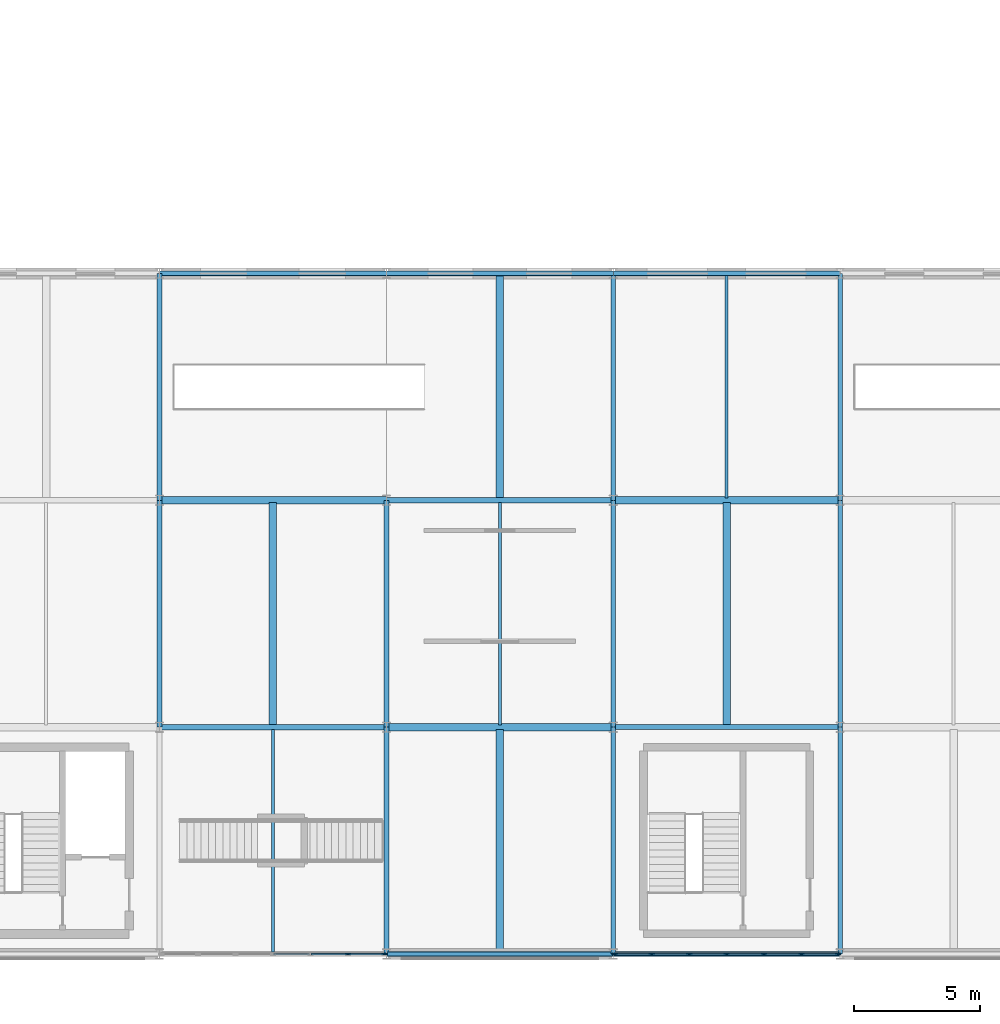
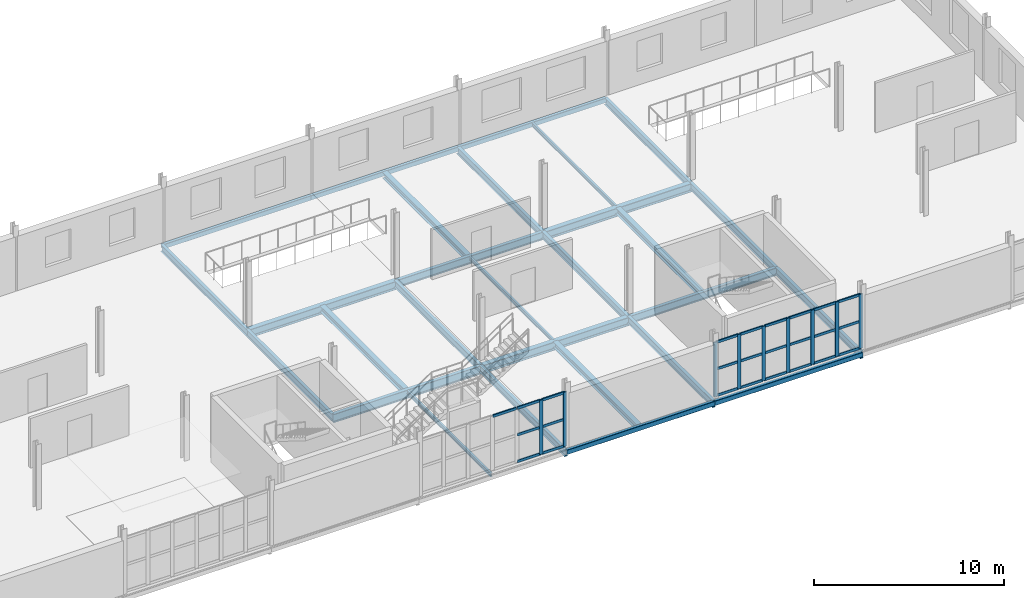
# One storey, part 36 of 161: 34 members, 28 beams, 2 elements without a shape of their own.
"""IFC4 building model written with IfcOpenShell, lengths in metres."""

from ifc_helpers import new_model, si_unit, direction, frame, origin, origin_2d, place, context, subcontext, project, spatial, rectangle, hollow_rectangle, i_section, extrude, material, material_profile, profile_set, type_object, element, aggregate, save


model = new_model("IFC4")

# Units and contexts
model_context = context("Model", 3, precision=1e-05, world=origin(), true_north=direction((0.0, 1.0)))
body_context = subcontext(model_context, "Body", "Model", "MODEL_VIEW")
ifc_project = project(units=[si_unit("LENGTHUNIT", "METRE"), si_unit("AREAUNIT", "SQUARE_METRE"), si_unit("VOLUMEUNIT", "CUBIC_METRE"), si_unit("PLANEANGLEUNIT", "RADIAN"), si_unit("MASSUNIT", "GRAM", prefix="KILO")], contexts=[model_context])

# Site, building, storey
site_placement = place(None, origin())
site = spatial("IfcSite", under=ifc_project, at=site_placement, CompositionType="ELEMENT")
building_placement = place(site_placement, origin())
building = spatial("IfcBuilding", under=site, at=building_placement, Name="Kildeholm Park Wholesale Market", CompositionType="ELEMENT")
storey_placement = place(building_placement, frame((0.0, 0.0, 5.39990234375)))
storey = spatial("IfcBuildingStorey", under=building, at=storey_placement, Name="L01", CompositionType="ELEMENT", Elevation=5.39990234375)

# Beams
ifc_material_1 = material(Name="Steel S355", Category="steel")
ifc_material_profile_1 = material_profile(ifc_material_1, i_section(OverallWidth=0.18994140625, OverallDepth=0.449951171875, WebThickness=0.009521484375, FlangeThickness=0.0146484375, FilletRadius=0.02099609375, at=origin_2d()), Name="IPE 450")
ifc_profile_set_1 = profile_set([ifc_material_profile_1], Name="Steel S355")
beam_type_1 = type_object("IfcBeamType", Name="Beam B-P02 IPE 450", PredefinedType="BEAM", material=ifc_profile_set_1)
for number, where, z_axis, x_axis, name in (
    (1, (36.0, 9.0, -0.46484375), (0.0, 1.0, 0.0), (-1.0, 0.0, 0.0), "Beam BM-V5W-L01-Y-036-009 BM-1300"),
    (2, (36.0, 18.0, -0.46484375), (0.0, 1.0, 0.0), (-1.0, 0.0, 0.0), "Beam BM-V5W-L01-Y-036-018 BM-1303"),
    (3, (45.0, 0.0, -0.46484375), (0.0, 1.0, 0.0), (-1.0, 0.0, 0.0), "Beam BM-V5W-L01-Y-045-000 BM-1306"),
    (4, (45.0, 9.0, -0.46484375), (0.0, 1.0, 0.0), (-1.0, 0.0, 0.0), "Beam BM-V5W-L01-Y-045-009 BM-1309"),
    (5, (54.0, 0.0, -0.46484375), (0.0, 1.0, 0.0), (-1.0, 0.0, 0.0), "Beam BM-V5W-L01-Y-054-000 BM-1315"),
    (6, (54.0, 9.0, -0.46484375), (0.0, 1.0, 0.0), (-1.0, 0.0, 0.0), "Beam BM-V5W-L01-Y-054-009 BM-1317"),
    (7, (54.0, 18.0, -0.46484375), (0.0, 1.0, 0.0), (-1.0, 0.0, 0.0), "Beam BM-V5W-L01-Y-054-018 BM-1320"),
    (8, (63.0, 0.0, -0.46484375), (0.0, 1.0, 0.0), (-1.0, 0.0, 0.0), "Beam BM-V5W-L01-Y-063-000 BM-1324"),
    (9, (63.0, 9.0, -0.46484375), (0.0, 1.0, 0.0), (-1.0, 0.0, 0.0), "Beam BM-V5W-L01-Y-063-009 BM-1327"),
    (10, (63.0, 18.0, -0.46484375), (0.0, 1.0, 0.0), (-1.0, 0.0, 0.0), "Beam BM-V5W-L01-Y-063-018 BM-1330"),
):
    element("IfcBeam", number, at=place(storey_placement, frame(where, z_axis=z_axis, x_axis=x_axis)), inside=storey, type_object=beam_type_1, Name=name, PredefinedType="BEAM", context=body_context, shape_type="SweptSolid", body=[
        extrude(i_section(OverallWidth=0.18994140625, OverallDepth=0.449951171875, WebThickness=0.009521484375, FlangeThickness=0.0146484375, FilletRadius=0.02099609375, at=origin_2d()), origin(), (0.0, 0.0, 1.0), 9.0),
    ])
ifc_material_profile_2 = material_profile(ifc_material_1, i_section(OverallWidth=0.199951171875, OverallDepth=0.5, WebThickness=0.01025390625, FlangeThickness=0.01611328125, FilletRadius=0.02099609375, at=origin_2d()), Name="IPE 500")
ifc_profile_set_2 = profile_set([ifc_material_profile_2], Name="Steel S355")
beam_type_2 = type_object("IfcBeamType", Name="Beam B-P03 IPE 500", PredefinedType="BEAM", material=ifc_profile_set_2)
for number, where, z_axis, x_axis, name in (
    (11, (45.0, 18.0, -0.489990234375), (1.0, 0.0, 0.0), (0.0, 1.0, 0.0), "Beam BM-V5W-L01-X-045-018 BM-1311"),
    (12, (54.0, 9.0, -0.489990234375), (1.0, 0.0, 0.0), (0.0, 1.0, 0.0), "Beam BM-V5W-L01-X-054-009 BM-1316"),
):
    element("IfcBeam", number, at=place(storey_placement, frame(where, z_axis=z_axis, x_axis=x_axis)), inside=storey, type_object=beam_type_2, Name=name, PredefinedType="BEAM", context=body_context, shape_type="SweptSolid", body=[
        extrude(i_section(OverallWidth=0.199951171875, OverallDepth=0.5, WebThickness=0.01025390625, FlangeThickness=0.01611328125, FilletRadius=0.02099609375, at=origin_2d()), origin(), (0.0, 0.0, 1.0), 9.0),
    ])
ifc_material_profile_3 = material_profile(ifc_material_1, i_section(OverallWidth=0.2099609375, OverallDepth=0.550048828125, WebThickness=0.010986328125, FlangeThickness=0.01708984375, FilletRadius=0.02392578125, at=origin_2d()), Name="IPE 550")
ifc_profile_set_3 = profile_set([ifc_material_profile_3], Name="Steel S355")
beam_type_3 = type_object("IfcBeamType", Name="Beam B-X01 IPE 550", PredefinedType="BEAM", material=ifc_profile_set_3)
beam_1_placement = place(storey_placement, frame((36.0, 9.0, -0.514892578125), z_axis=(1.0, 0.0, 0.0), x_axis=(0.0, 1.0, 0.0)))
element("IfcBeam", 13, at=beam_1_placement, inside=storey, type_object=beam_type_3, Name="Beam BM-V5W-L01-X-036-009 BM-1299", PredefinedType="BEAM", context=body_context, shape_type="SweptSolid", body=[
    extrude(i_section(OverallWidth=0.2099609375, OverallDepth=0.550048828125, WebThickness=0.010986328125, FlangeThickness=0.01708984375, FilletRadius=0.02392578125, at=origin_2d()), origin(), (0.0, 0.0, 1.0), 9.0),
])
ifc_material_profile_4 = material_profile(ifc_material_1, i_section(OverallWidth=0.300048828125, OverallDepth=0.5400390625, WebThickness=0.012451171875, FlangeThickness=0.02392578125, FilletRadius=0.027099609375, at=origin_2d()), Name="HEA 550")
ifc_profile_set_4 = profile_set([ifc_material_profile_4], Name="Steel S355")
beam_type_4 = type_object("IfcBeamType", Name="Beam B-X02 HEA 550", PredefinedType="BEAM", material=ifc_profile_set_4)
for number, where, z_axis, x_axis, name in (
    (14, (36.0, 18.0, -0.510009765625), (1.0, 0.0, 0.0), (0.0, 1.0, 0.0), "Beam BM-V5W-L01-X-036-018 BM-1302"),
    (15, (45.0, 9.0, -0.510009765625), (1.0, 0.0, 0.0), (0.0, 1.0, 0.0), "Beam BM-V5W-L01-X-045-009 BM-1308"),
):
    element("IfcBeam", number, at=place(storey_placement, frame(where, z_axis=z_axis, x_axis=x_axis)), inside=storey, type_object=beam_type_4, Name=name, PredefinedType="BEAM", context=body_context, shape_type="SweptSolid", body=[
        extrude(i_section(OverallWidth=0.300048828125, OverallDepth=0.5400390625, WebThickness=0.012451171875, FlangeThickness=0.02392578125, FilletRadius=0.027099609375, at=origin_2d()), origin(), (0.0, 0.0, 1.0), 9.0),
    ])
ifc_material_profile_5 = material_profile(ifc_material_1, i_section(OverallWidth=0.300048828125, OverallDepth=0.550048828125, WebThickness=0.014892578125, FlangeThickness=0.029052734375, FilletRadius=0.027099609375, at=origin_2d()), Name="HEB 550")
ifc_profile_set_5 = profile_set([ifc_material_profile_5], Name="Steel S355")
beam_type_5 = type_object("IfcBeamType", Name="Beam B-X03 HEB 550", PredefinedType="BEAM", material=ifc_profile_set_5)
beam_2_placement = place(storey_placement, frame((54.0, 18.0, -0.514892578125), z_axis=(1.0, 0.0, 0.0), x_axis=(0.0, 1.0, 0.0)))
element("IfcBeam", 16, at=beam_2_placement, inside=storey, type_object=beam_type_5, Name="Beam BM-V5W-L01-X-054-018 BM-1319", PredefinedType="BEAM", context=body_context, shape_type="SweptSolid", body=[
    extrude(i_section(OverallWidth=0.300048828125, OverallDepth=0.550048828125, WebThickness=0.014892578125, FlangeThickness=0.029052734375, FilletRadius=0.027099609375, at=origin_2d()), origin(), (0.0, 0.0, 1.0), 9.0),
])
ifc_material_profile_6 = material_profile(ifc_material_1, i_section(OverallWidth=0.1201171875, OverallDepth=0.239990234375, WebThickness=0.006103515625, FlangeThickness=0.009765625, FilletRadius=0.014892578125, at=origin_2d()), Name="IPE 240")
ifc_profile_set_6 = profile_set([ifc_material_profile_6], Name="Steel S355")
beam_type_6 = type_object("IfcBeamType", Name="Beam J-01 IPE 240", PredefinedType="JOIST", material=ifc_profile_set_6)
for number, where, z_axis, x_axis, name in (
    (17, (40.5, 0.0849609375, -0.35986328125), (0.0, 1.0, 0.0), (-1.0, 0.0, 0.0), "Beam JT-V5W-L01-036-000 BM-1298"),
    (18, (49.5, 9.0849609375, -0.35986328125), (0.0, 1.0, 0.0), (-1.0, 0.0, 0.0), "Beam JT-V5W-L01-045-009 BM-1310"),
    (19, (58.5, 18.0849609375, -0.35986328125), (0.0, 1.0, 0.0), (-1.0, 0.0, 0.0), "Beam JT-V5W-L01-054-018 BM-1321"),
):
    element("IfcBeam", number, at=place(storey_placement, frame(where, z_axis=z_axis, x_axis=x_axis)), inside=storey, type_object=beam_type_6, Name=name, PredefinedType="JOIST", context=body_context, shape_type="SweptSolid", body=[
        extrude(i_section(OverallWidth=0.1201171875, OverallDepth=0.239990234375, WebThickness=0.006103515625, FlangeThickness=0.009765625, FilletRadius=0.014892578125, at=origin_2d()), origin(), (0.0, 0.0, 1.0), 8.830078125),
    ])
ifc_material_profile_7 = material_profile(ifc_material_1, i_section(OverallWidth=0.300048828125, OverallDepth=0.389892578125, WebThickness=0.010986328125, FlangeThickness=0.01904296875, FilletRadius=0.027099609375, at=origin_2d()), Name="HEA 400")
ifc_profile_set_7 = profile_set([ifc_material_profile_7], Name="Steel S355")
beam_type_7 = type_object("IfcBeamType", Name="Beam J-06 HEA 400", PredefinedType="JOIST", material=ifc_profile_set_7)
for number, where, z_axis, x_axis, name in (
    (20, (40.5, 9.0849609375, -0.434814453125), (0.0, 1.0, 0.0), (-1.0, 0.0, 0.0), "Beam JT-V5W-L01-036-009 BM-1301"),
    (21, (49.5, 0.0849609375, -0.434814453125), (0.0, 1.0, 0.0), (-1.0, 0.0, 0.0), "Beam JT-V5W-L01-045-000 BM-1307"),
    (22, (49.5, 18.0849609375, -0.434814453125), (0.0, 1.0, 0.0), (-1.0, 0.0, 0.0), "Beam JT-V5W-L01-045-018 BM-1312"),
    (23, (58.5, 9.0849609375, -0.434814453125), (0.0, 1.0, 0.0), (-1.0, 0.0, 0.0), "Beam JT-V5W-L01-054-009 BM-1318"),
):
    element("IfcBeam", number, at=place(storey_placement, frame(where, z_axis=z_axis, x_axis=x_axis)), inside=storey, type_object=beam_type_7, Name=name, PredefinedType="JOIST", context=body_context, shape_type="SweptSolid", body=[
        extrude(i_section(OverallWidth=0.300048828125, OverallDepth=0.389892578125, WebThickness=0.010986328125, FlangeThickness=0.01904296875, FilletRadius=0.027099609375, at=origin_2d()), origin(), (0.0, 0.0, 1.0), 8.830078125),
    ])
ifc_material_profile_8 = material_profile(ifc_material_1, hollow_rectangle(XDim=0.199951171875, YDim=0.300048828125, WallThickness=0.012451171875, InnerFilletRadius=0.012451171875, OuterFilletRadius=0.02490234375, at=origin_2d()), Name="RHS 300x200x12.5")
ifc_profile_set_8 = profile_set([ifc_material_profile_8], Name="Steel S355")
beam_type_8 = type_object("IfcBeamType", Name="Beam SP-01 RHS 300x200x12.5", PredefinedType="SPANDREL", material=ifc_profile_set_8)
for number, where, z_axis, x_axis, name in (
    (24, (36.0, 27.0, -0.389892578125), (1.0, 0.0, 0.0), (0.0, 1.0, 0.0), "Beam BM-V5W-L01-X-036-027 BM-1304"),
    (25, (45.0, 0.0, -0.389892578125), (1.0, 0.0, 0.0), (0.0, 1.0, 0.0), "Beam BM-V5W-L01-X-045-000 BM-1305"),
    (26, (45.0, 27.0, -0.389892578125), (1.0, 0.0, 0.0), (0.0, 1.0, 0.0), "Beam BM-V5W-L01-X-045-027 BM-1313"),
    (27, (54.0, 0.0, -0.389892578125), (1.0, 0.0, 0.0), (0.0, 1.0, 0.0), "Beam BM-V5W-L01-X-054-000 BM-1314"),
    (28, (54.0, 27.0, -0.389892578125), (1.0, 0.0, 0.0), (0.0, 1.0, 0.0), "Beam BM-V5W-L01-X-054-027 BM-1322"),
):
    element("IfcBeam", number, at=place(storey_placement, frame(where, z_axis=z_axis, x_axis=x_axis)), inside=storey, type_object=beam_type_8, Name=name, PredefinedType="SPANDREL", context=body_context, shape_type="SweptSolid", body=[
        extrude(hollow_rectangle(XDim=0.199951171875, YDim=0.300048828125, WallThickness=0.012451171875, InnerFilletRadius=0.012451171875, OuterFilletRadius=0.02490234375, at=origin_2d()), origin(), (0.0, 0.0, 1.0), 9.0),
    ])

# Curtain wall, members
ifc_material_2 = material(Name="Anodised aluminium and low-E double-glazed glass", Category="aluminium")
curtain_wall_type = type_object("IfcCurtainWallType", Name="Park wing thermally broken curtain wall CW-03", PredefinedType="NOTDEFINED", material=ifc_material_2)
curtain_wall_1_placement = place(storey_placement, origin())
curtain_wall_1 = element("IfcCurtainWall", 29, at=curtain_wall_1_placement, inside=storey, type_object=curtain_wall_type, Name="Curtain wall CW-V5W-L01-S-04 CW-0144", PredefinedType="NOTDEFINED")
ifc_material_3 = material(Name="Anodised aluminium", Category="aluminium")
ifc_material_profile_9 = material_profile(ifc_material_3, rectangle(XDim=0.074951171875, YDim=0.219970703125, at=origin_2d()), Name="CWM 75x220")
ifc_profile_set_9 = profile_set([ifc_material_profile_9], Name="Anodised aluminium")
member_type_1 = type_object("IfcMemberType", Name="Curtain-wall mullion CWM-2 CWM 75x220", PredefinedType="MULLION", material=ifc_profile_set_9)
member_1_placement = place(storey_placement, frame((43.473388671875, 0.0, 0.0), z_axis=(0.0, 0.0, 1.0), x_axis=(0.0, 1.0, 0.0)))
member_1 = element("IfcMember", 30, at=member_1_placement, type_object=member_type_1, Name="CW-03 mullion 6 MEM-4470", PredefinedType="MULLION", context=body_context, shape_type="SweptSolid", body=[
    extrude(rectangle(XDim=0.074951171875, YDim=0.219970703125, at=origin_2d()), origin(), (0.0, 0.0, 1.0), 3.5),
])
member_2_placement = place(storey_placement, frame((44.922607421875, 0.0, 0.0), z_axis=(0.0, 0.0, 1.0), x_axis=(0.0, 1.0, 0.0)))
member_2 = element("IfcMember", 31, at=member_2_placement, type_object=member_type_1, Name="CW-03 mullion 7 MEM-4471", PredefinedType="MULLION", context=body_context, shape_type="SweptSolid", body=[
    extrude(rectangle(XDim=0.074951171875, YDim=0.219970703125, at=origin_2d()), origin(), (0.0, 0.0, 1.0), 3.5),
])

curtain_wall_2_placement = place(storey_placement, origin())
curtain_wall_2 = element("IfcCurtainWall", 32, at=curtain_wall_2_placement, inside=storey, type_object=curtain_wall_type, Name="Curtain wall CW-V5W-L01-S-06 CW-0145", PredefinedType="NOTDEFINED")
member_3_placement = place(storey_placement, frame((54.077392578125, 0.0, 0.0), z_axis=(0.0, 0.0, 1.0), x_axis=(0.0, 1.0, 0.0)))
member_3 = element("IfcMember", 33, at=member_3_placement, type_object=member_type_1, Name="CW-03 mullion 1 MEM-4490", PredefinedType="MULLION", context=body_context, shape_type="SweptSolid", body=[
    extrude(rectangle(XDim=0.074951171875, YDim=0.219970703125, at=origin_2d()), origin(), (0.0, 0.0, 1.0), 3.5),
])
member_4_placement = place(storey_placement, frame((55.526611328125, 0.0, 0.0), z_axis=(0.0, 0.0, 1.0), x_axis=(0.0, 1.0, 0.0)))
member_4 = element("IfcMember", 34, at=member_4_placement, type_object=member_type_1, Name="CW-03 mullion 2 MEM-4491", PredefinedType="MULLION", context=body_context, shape_type="SweptSolid", body=[
    extrude(rectangle(XDim=0.074951171875, YDim=0.219970703125, at=origin_2d()), origin(), (0.0, 0.0, 1.0), 3.5),
])
member_5_placement = place(storey_placement, frame((57.013427734375, 0.0, 0.0), z_axis=(0.0, 0.0, 1.0), x_axis=(0.0, 1.0, 0.0)))
member_5 = element("IfcMember", 35, at=member_5_placement, type_object=member_type_1, Name="CW-03 mullion 3 MEM-4492", PredefinedType="MULLION", context=body_context, shape_type="SweptSolid", body=[
    extrude(rectangle(XDim=0.074951171875, YDim=0.219970703125, at=origin_2d()), origin(), (0.0, 0.0, 1.0), 3.5),
])
member_6_placement = place(storey_placement, frame((58.5, 0.0, 0.0), z_axis=(0.0, 0.0, 1.0), x_axis=(0.0, 1.0, 0.0)))
member_6 = element("IfcMember", 36, at=member_6_placement, type_object=member_type_1, Name="CW-03 mullion 4 MEM-4493", PredefinedType="MULLION", context=body_context, shape_type="SweptSolid", body=[
    extrude(rectangle(XDim=0.074951171875, YDim=0.219970703125, at=origin_2d()), origin(), (0.0, 0.0, 1.0), 3.5),
])
member_7_placement = place(storey_placement, frame((59.986572265625, 0.0, 0.0), z_axis=(0.0, 0.0, 1.0), x_axis=(0.0, 1.0, 0.0)))
member_7 = element("IfcMember", 37, at=member_7_placement, type_object=member_type_1, Name="CW-03 mullion 5 MEM-4494", PredefinedType="MULLION", context=body_context, shape_type="SweptSolid", body=[
    extrude(rectangle(XDim=0.074951171875, YDim=0.219970703125, at=origin_2d()), origin(), (0.0, 0.0, 1.0), 3.5),
])
member_8_placement = place(storey_placement, frame((61.473388671875, 0.0, 0.0), z_axis=(0.0, 0.0, 1.0), x_axis=(0.0, 1.0, 0.0)))
member_8 = element("IfcMember", 38, at=member_8_placement, type_object=member_type_1, Name="CW-03 mullion 6 MEM-4495", PredefinedType="MULLION", context=body_context, shape_type="SweptSolid", body=[
    extrude(rectangle(XDim=0.074951171875, YDim=0.219970703125, at=origin_2d()), origin(), (0.0, 0.0, 1.0), 3.5),
])
member_9_placement = place(storey_placement, frame((62.922607421875, 0.0, 0.0), z_axis=(0.0, 0.0, 1.0), x_axis=(0.0, 1.0, 0.0)))
member_9 = element("IfcMember", 39, at=member_9_placement, type_object=member_type_1, Name="CW-03 mullion 7 MEM-4496", PredefinedType="MULLION", context=body_context, shape_type="SweptSolid", body=[
    extrude(rectangle(XDim=0.074951171875, YDim=0.219970703125, at=origin_2d()), origin(), (0.0, 0.0, 1.0), 3.5),
])

# Member
ifc_material_profile_10 = material_profile(ifc_material_3, rectangle(XDim=0.074951171875, YDim=0.159912109375, at=origin_2d()), Name="CWT 75x160")
ifc_profile_set_10 = profile_set([ifc_material_profile_10], Name="Anodised aluminium")
member_type_2 = type_object("IfcMemberType", Name="Curtain-wall transom CWT-2 CWT 75x160", PredefinedType="USERDEFINED", material=ifc_profile_set_10)
member_10_placement = place(storey_placement, frame((40.53759765625, 0.0, 3.462646484375), z_axis=(1.0, 0.0, 0.0), x_axis=(0.0, 1.0, 0.0)))
member_10 = element("IfcMember", 40, at=member_10_placement, type_object=member_type_2, Name="CW-03 transom 4.3 MEM-4483", ObjectType="TRANSOM", PredefinedType="USERDEFINED", context=body_context, shape_type="SweptSolid", body=[
    extrude(rectangle(XDim=0.074951171875, YDim=0.159912109375, at=origin_2d()), origin(), (0.0, 0.0, 1.0), 1.41162109375),
])

member_11_placement = place(storey_placement, frame((42.024169921875, 0.0, 0.03759765625), z_axis=(1.0, 0.0, 0.0), x_axis=(0.0, 1.0, 0.0)))
member_11 = element("IfcMember", 41, at=member_11_placement, type_object=member_type_2, Name="CW-03 transom 5.1 MEM-4484", ObjectType="TRANSOM", PredefinedType="USERDEFINED", context=body_context, shape_type="SweptSolid", body=[
    extrude(rectangle(XDim=0.074951171875, YDim=0.159912109375, at=origin_2d()), origin(), (0.0, 0.0, 1.0), 1.41162109375),
])

member_12_placement = place(storey_placement, frame((42.024169921875, 0.0, 1.75), z_axis=(1.0, 0.0, 0.0), x_axis=(0.0, 1.0, 0.0)))
member_12 = element("IfcMember", 42, at=member_12_placement, type_object=member_type_2, Name="CW-03 transom 5.2 MEM-4485", ObjectType="TRANSOM", PredefinedType="USERDEFINED", context=body_context, shape_type="SweptSolid", body=[
    extrude(rectangle(XDim=0.074951171875, YDim=0.159912109375, at=origin_2d()), origin(), (0.0, 0.0, 1.0), 1.41162109375),
])

member_13_placement = place(storey_placement, frame((42.024169921875, 0.0, 3.462646484375), z_axis=(1.0, 0.0, 0.0), x_axis=(0.0, 1.0, 0.0)))
member_13 = element("IfcMember", 43, at=member_13_placement, type_object=member_type_2, Name="CW-03 transom 5.3 MEM-4486", ObjectType="TRANSOM", PredefinedType="USERDEFINED", context=body_context, shape_type="SweptSolid", body=[
    extrude(rectangle(XDim=0.074951171875, YDim=0.159912109375, at=origin_2d()), origin(), (0.0, 0.0, 1.0), 1.41162109375),
])

member_14_placement = place(storey_placement, frame((43.5107421875, 0.0, 0.03759765625), z_axis=(1.0, 0.0, 0.0), x_axis=(0.0, 1.0, 0.0)))
member_14 = element("IfcMember", 44, at=member_14_placement, type_object=member_type_2, Name="CW-03 transom 6.1 MEM-4487", ObjectType="TRANSOM", PredefinedType="USERDEFINED", context=body_context, shape_type="SweptSolid", body=[
    extrude(rectangle(XDim=0.074951171875, YDim=0.159912109375, at=origin_2d()), origin(), (0.0, 0.0, 1.0), 1.374267578125),
])

member_15_placement = place(storey_placement, frame((43.5107421875, 0.0, 1.75), z_axis=(1.0, 0.0, 0.0), x_axis=(0.0, 1.0, 0.0)))
member_15 = element("IfcMember", 45, at=member_15_placement, type_object=member_type_2, Name="CW-03 transom 6.2 MEM-4488", ObjectType="TRANSOM", PredefinedType="USERDEFINED", context=body_context, shape_type="SweptSolid", body=[
    extrude(rectangle(XDim=0.074951171875, YDim=0.159912109375, at=origin_2d()), origin(), (0.0, 0.0, 1.0), 1.374267578125),
])

member_16_placement = place(storey_placement, frame((43.5107421875, 0.0, 3.462646484375), z_axis=(1.0, 0.0, 0.0), x_axis=(0.0, 1.0, 0.0)))
member_16 = element("IfcMember", 46, at=member_16_placement, type_object=member_type_2, Name="CW-03 transom 6.3 MEM-4489", ObjectType="TRANSOM", PredefinedType="USERDEFINED", context=body_context, shape_type="SweptSolid", body=[
    extrude(rectangle(XDim=0.074951171875, YDim=0.159912109375, at=origin_2d()), origin(), (0.0, 0.0, 1.0), 1.374267578125),
])

aggregate(curtain_wall_1, [member_1, member_2, member_10, member_11, member_12, member_13, member_14, member_15, member_16])

member_17_placement = place(storey_placement, frame((54.114990234375, 0.0, 0.03759765625), z_axis=(1.0, 0.0, 0.0), x_axis=(0.0, 1.0, 0.0)))
member_17 = element("IfcMember", 47, at=member_17_placement, type_object=member_type_2, Name="CW-03 transom 1.1 MEM-4497", ObjectType="TRANSOM", PredefinedType="USERDEFINED", context=body_context, shape_type="SweptSolid", body=[
    extrude(rectangle(XDim=0.074951171875, YDim=0.159912109375, at=origin_2d()), origin(), (0.0, 0.0, 1.0), 1.374267578125),
])

member_18_placement = place(storey_placement, frame((54.114990234375, 0.0, 1.75), z_axis=(1.0, 0.0, 0.0), x_axis=(0.0, 1.0, 0.0)))
member_18 = element("IfcMember", 48, at=member_18_placement, type_object=member_type_2, Name="CW-03 transom 1.2 MEM-4498", ObjectType="TRANSOM", PredefinedType="USERDEFINED", context=body_context, shape_type="SweptSolid", body=[
    extrude(rectangle(XDim=0.074951171875, YDim=0.159912109375, at=origin_2d()), origin(), (0.0, 0.0, 1.0), 1.374267578125),
])

member_19_placement = place(storey_placement, frame((54.114990234375, 0.0, 3.462646484375), z_axis=(1.0, 0.0, 0.0), x_axis=(0.0, 1.0, 0.0)))
member_19 = element("IfcMember", 49, at=member_19_placement, type_object=member_type_2, Name="CW-03 transom 1.3 MEM-4499", ObjectType="TRANSOM", PredefinedType="USERDEFINED", context=body_context, shape_type="SweptSolid", body=[
    extrude(rectangle(XDim=0.074951171875, YDim=0.159912109375, at=origin_2d()), origin(), (0.0, 0.0, 1.0), 1.374267578125),
])

member_20_placement = place(storey_placement, frame((55.564208984375, 0.0, 0.03759765625), z_axis=(1.0, 0.0, 0.0), x_axis=(0.0, 1.0, 0.0)))
member_20 = element("IfcMember", 50, at=member_20_placement, type_object=member_type_2, Name="CW-03 transom 2.1 MEM-4500", ObjectType="TRANSOM", PredefinedType="USERDEFINED", context=body_context, shape_type="SweptSolid", body=[
    extrude(rectangle(XDim=0.074951171875, YDim=0.159912109375, at=origin_2d()), origin(), (0.0, 0.0, 1.0), 1.41162109375),
])

member_21_placement = place(storey_placement, frame((55.564208984375, 0.0, 1.75), z_axis=(1.0, 0.0, 0.0), x_axis=(0.0, 1.0, 0.0)))
member_21 = element("IfcMember", 51, at=member_21_placement, type_object=member_type_2, Name="CW-03 transom 2.2 MEM-4501", ObjectType="TRANSOM", PredefinedType="USERDEFINED", context=body_context, shape_type="SweptSolid", body=[
    extrude(rectangle(XDim=0.074951171875, YDim=0.159912109375, at=origin_2d()), origin(), (0.0, 0.0, 1.0), 1.41162109375),
])

member_22_placement = place(storey_placement, frame((55.564208984375, 0.0, 3.462646484375), z_axis=(1.0, 0.0, 0.0), x_axis=(0.0, 1.0, 0.0)))
member_22 = element("IfcMember", 52, at=member_22_placement, type_object=member_type_2, Name="CW-03 transom 2.3 MEM-4502", ObjectType="TRANSOM", PredefinedType="USERDEFINED", context=body_context, shape_type="SweptSolid", body=[
    extrude(rectangle(XDim=0.074951171875, YDim=0.159912109375, at=origin_2d()), origin(), (0.0, 0.0, 1.0), 1.41162109375),
])

member_23_placement = place(storey_placement, frame((57.05078125, 0.0, 0.03759765625), z_axis=(1.0, 0.0, 0.0), x_axis=(0.0, 1.0, 0.0)))
member_23 = element("IfcMember", 53, at=member_23_placement, type_object=member_type_2, Name="CW-03 transom 3.1 MEM-4503", ObjectType="TRANSOM", PredefinedType="USERDEFINED", context=body_context, shape_type="SweptSolid", body=[
    extrude(rectangle(XDim=0.074951171875, YDim=0.159912109375, at=origin_2d()), origin(), (0.0, 0.0, 1.0), 1.41162109375),
])

member_24_placement = place(storey_placement, frame((57.05078125, 0.0, 1.75), z_axis=(1.0, 0.0, 0.0), x_axis=(0.0, 1.0, 0.0)))
member_24 = element("IfcMember", 54, at=member_24_placement, type_object=member_type_2, Name="CW-03 transom 3.2 MEM-4504", ObjectType="TRANSOM", PredefinedType="USERDEFINED", context=body_context, shape_type="SweptSolid", body=[
    extrude(rectangle(XDim=0.074951171875, YDim=0.159912109375, at=origin_2d()), origin(), (0.0, 0.0, 1.0), 1.41162109375),
])

member_25_placement = place(storey_placement, frame((57.05078125, 0.0, 3.462646484375), z_axis=(1.0, 0.0, 0.0), x_axis=(0.0, 1.0, 0.0)))
member_25 = element("IfcMember", 55, at=member_25_placement, type_object=member_type_2, Name="CW-03 transom 3.3 MEM-4505", ObjectType="TRANSOM", PredefinedType="USERDEFINED", context=body_context, shape_type="SweptSolid", body=[
    extrude(rectangle(XDim=0.074951171875, YDim=0.159912109375, at=origin_2d()), origin(), (0.0, 0.0, 1.0), 1.41162109375),
])

member_26_placement = place(storey_placement, frame((58.53759765625, 0.0, 0.03759765625), z_axis=(1.0, 0.0, 0.0), x_axis=(0.0, 1.0, 0.0)))
member_26 = element("IfcMember", 56, at=member_26_placement, type_object=member_type_2, Name="CW-03 transom 4.1 MEM-4506", ObjectType="TRANSOM", PredefinedType="USERDEFINED", context=body_context, shape_type="SweptSolid", body=[
    extrude(rectangle(XDim=0.074951171875, YDim=0.159912109375, at=origin_2d()), origin(), (0.0, 0.0, 1.0), 1.41162109375),
])

member_27_placement = place(storey_placement, frame((58.53759765625, 0.0, 1.75), z_axis=(1.0, 0.0, 0.0), x_axis=(0.0, 1.0, 0.0)))
member_27 = element("IfcMember", 57, at=member_27_placement, type_object=member_type_2, Name="CW-03 transom 4.2 MEM-4507", ObjectType="TRANSOM", PredefinedType="USERDEFINED", context=body_context, shape_type="SweptSolid", body=[
    extrude(rectangle(XDim=0.074951171875, YDim=0.159912109375, at=origin_2d()), origin(), (0.0, 0.0, 1.0), 1.41162109375),
])

member_28_placement = place(storey_placement, frame((58.53759765625, 0.0, 3.462646484375), z_axis=(1.0, 0.0, 0.0), x_axis=(0.0, 1.0, 0.0)))
member_28 = element("IfcMember", 58, at=member_28_placement, type_object=member_type_2, Name="CW-03 transom 4.3 MEM-4508", ObjectType="TRANSOM", PredefinedType="USERDEFINED", context=body_context, shape_type="SweptSolid", body=[
    extrude(rectangle(XDim=0.074951171875, YDim=0.159912109375, at=origin_2d()), origin(), (0.0, 0.0, 1.0), 1.41162109375),
])

member_29_placement = place(storey_placement, frame((60.024169921875, 0.0, 0.03759765625), z_axis=(1.0, 0.0, 0.0), x_axis=(0.0, 1.0, 0.0)))
member_29 = element("IfcMember", 59, at=member_29_placement, type_object=member_type_2, Name="CW-03 transom 5.1 MEM-4509", ObjectType="TRANSOM", PredefinedType="USERDEFINED", context=body_context, shape_type="SweptSolid", body=[
    extrude(rectangle(XDim=0.074951171875, YDim=0.159912109375, at=origin_2d()), origin(), (0.0, 0.0, 1.0), 1.41162109375),
])

member_30_placement = place(storey_placement, frame((60.024169921875, 0.0, 1.75), z_axis=(1.0, 0.0, 0.0), x_axis=(0.0, 1.0, 0.0)))
member_30 = element("IfcMember", 60, at=member_30_placement, type_object=member_type_2, Name="CW-03 transom 5.2 MEM-4510", ObjectType="TRANSOM", PredefinedType="USERDEFINED", context=body_context, shape_type="SweptSolid", body=[
    extrude(rectangle(XDim=0.074951171875, YDim=0.159912109375, at=origin_2d()), origin(), (0.0, 0.0, 1.0), 1.41162109375),
])

member_31_placement = place(storey_placement, frame((60.024169921875, 0.0, 3.462646484375), z_axis=(1.0, 0.0, 0.0), x_axis=(0.0, 1.0, 0.0)))
member_31 = element("IfcMember", 61, at=member_31_placement, type_object=member_type_2, Name="CW-03 transom 5.3 MEM-4511", ObjectType="TRANSOM", PredefinedType="USERDEFINED", context=body_context, shape_type="SweptSolid", body=[
    extrude(rectangle(XDim=0.074951171875, YDim=0.159912109375, at=origin_2d()), origin(), (0.0, 0.0, 1.0), 1.41162109375),
])

member_32_placement = place(storey_placement, frame((61.5107421875, 0.0, 0.03759765625), z_axis=(1.0, 0.0, 0.0), x_axis=(0.0, 1.0, 0.0)))
member_32 = element("IfcMember", 62, at=member_32_placement, type_object=member_type_2, Name="CW-03 transom 6.1 MEM-4512", ObjectType="TRANSOM", PredefinedType="USERDEFINED", context=body_context, shape_type="SweptSolid", body=[
    extrude(rectangle(XDim=0.074951171875, YDim=0.159912109375, at=origin_2d()), origin(), (0.0, 0.0, 1.0), 1.374267578125),
])

member_33_placement = place(storey_placement, frame((61.5107421875, 0.0, 1.75), z_axis=(1.0, 0.0, 0.0), x_axis=(0.0, 1.0, 0.0)))
member_33 = element("IfcMember", 63, at=member_33_placement, type_object=member_type_2, Name="CW-03 transom 6.2 MEM-4513", ObjectType="TRANSOM", PredefinedType="USERDEFINED", context=body_context, shape_type="SweptSolid", body=[
    extrude(rectangle(XDim=0.074951171875, YDim=0.159912109375, at=origin_2d()), origin(), (0.0, 0.0, 1.0), 1.374267578125),
])

member_34_placement = place(storey_placement, frame((61.5107421875, 0.0, 3.462646484375), z_axis=(1.0, 0.0, 0.0), x_axis=(0.0, 1.0, 0.0)))
member_34 = element("IfcMember", 64, at=member_34_placement, type_object=member_type_2, Name="CW-03 transom 6.3 MEM-4514", ObjectType="TRANSOM", PredefinedType="USERDEFINED", context=body_context, shape_type="SweptSolid", body=[
    extrude(rectangle(XDim=0.074951171875, YDim=0.159912109375, at=origin_2d()), origin(), (0.0, 0.0, 1.0), 1.374267578125),
])

aggregate(curtain_wall_2, [member_3, member_4, member_5, member_6, member_7, member_8, member_9, member_17, member_18, member_19, member_20, member_21, member_22, member_23, member_24, member_25, member_26, member_27, member_28, member_29, member_30, member_31, member_32, member_33, member_34])

save(model, "model.ifc")
